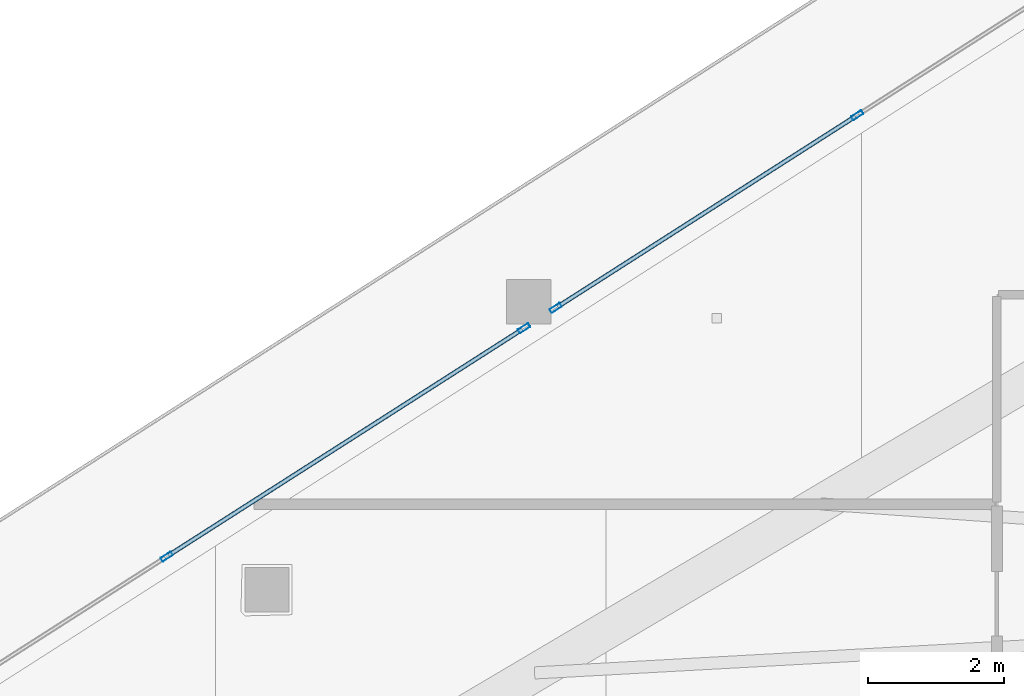
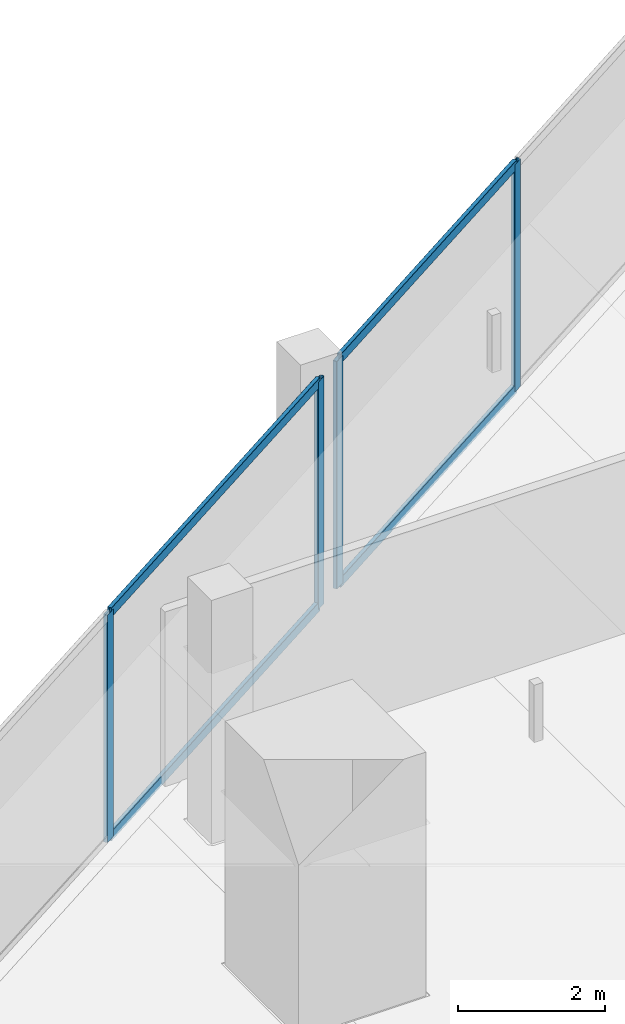
# One storey, part 15 of 37: 8 members, 2 elements without a shape of their own.
"""IFC4 building model written with IfcOpenShell, lengths in metres."""

from ifc_helpers import new_model, si_unit, direction, frame, origin, origin_2d, place, context, subcontext, project, spatial, hollow_rectangle, extrude, material, layer, layer_set, material_profile, profile_set, type_object, element, aggregate, save


model = new_model("IFC4")

# Units and contexts
model_context = context("Model", 3, precision=1e-05, world=origin(), true_north=direction((0.0, 1.0)))
body_context = subcontext(model_context, "Body", "Model", "MODEL_VIEW")
ifc_project = project(units=[si_unit("LENGTHUNIT", "METRE"), si_unit("AREAUNIT", "SQUARE_METRE"), si_unit("VOLUMEUNIT", "CUBIC_METRE"), si_unit("PLANEANGLEUNIT", "RADIAN"), si_unit("MASSUNIT", "GRAM", prefix="KILO")], contexts=[model_context])

# Site, building, storey
site_placement = place(None, origin())
site = spatial("IfcSite", under=ifc_project, at=site_placement, CompositionType="ELEMENT")
building_placement = place(site_placement, origin())
building = spatial("IfcBuilding", under=site, at=building_placement, Name="Qorvath Tower", CompositionType="ELEMENT")
storey_placement = place(building_placement, frame((0.0, 0.0, 188.85009765625)))
storey = spatial("IfcBuildingStorey", under=building, at=storey_placement, Name="L43", CompositionType="ELEMENT", Elevation=188.85009765625)

# Curtain wall, members
ifc_material_1 = material(Name="Anodised aluminium and triple low-E glass", Category="aluminium")
ifc_layer = layer(ifc_material_1, 0.179931640625)
ifc_layer_set = layer_set([ifc_layer], Name="CW-SYS-3")
curtain_wall_type = type_object("IfcCurtainWallType", Name="CW-SYS-3", PredefinedType="NOTDEFINED", material=ifc_layer_set)
curtain_wall_1_placement = place(storey_placement, origin())
curtain_wall_1 = element("IfcCurtainWall", 1, at=curtain_wall_1_placement, inside=storey, type_object=curtain_wall_type, Name="Curtain Wall CW-3 CW-T-L43-16.2", PredefinedType="NOTDEFINED")
ifc_material_2 = material(Name="Anodised aluminium 6063-T6", Category="aluminium")
ifc_material_profile_1 = material_profile(ifc_material_2, hollow_rectangle(XDim=0.06494140625, YDim=0.179931640625, WallThickness=0.00341796875, InnerFilletRadius=0.00341796875, OuterFilletRadius=0.007080078125, at=origin_2d()), Name="CWM 180x65")
ifc_profile_set_1 = profile_set([ifc_material_profile_1], Name="Anodised aluminium 6063-T6")
member_type_1 = type_object("IfcMemberType", Name="CWM-180", PredefinedType="MULLION", material=ifc_profile_set_1)
member_1_placement = place(storey_placement, frame((-39.90966796875, 13.393798828125, 0.0), z_axis=(0.0, 0.0, 1.0), x_axis=(0.538532984504, -0.842604429493, 0.0)))
member_1 = element("IfcMember", 2, at=member_1_placement, type_object=member_type_1, Name="CW-3 mullion 3", PredefinedType="MULLION", context=body_context, shape_type="SweptSolid", body=[
    extrude(hollow_rectangle(XDim=0.06494140625, YDim=0.179931640625, WallThickness=0.00341796875, InnerFilletRadius=0.00341796875, OuterFilletRadius=0.007080078125, at=origin_2d()), origin(), (0.0, 0.0, 1.0), 3.77978515625),
])
member_2_placement = place(storey_placement, frame((-44.3388671875, 10.56298828125, 0.0), z_axis=(0.0, 0.0, 1.0), x_axis=(0.538532984504, -0.842604429493, 0.0)))
member_2 = element("IfcMember", 3, at=member_2_placement, type_object=member_type_1, Name="CW-3 mullion 4", PredefinedType="MULLION", context=body_context, shape_type="SweptSolid", body=[
    extrude(hollow_rectangle(XDim=0.06494140625, YDim=0.179931640625, WallThickness=0.00341796875, InnerFilletRadius=0.00341796875, OuterFilletRadius=0.007080078125, at=origin_2d()), origin(), (0.0, 0.0, 1.0), 3.77978515625),
])

curtain_wall_2_placement = place(storey_placement, origin())
curtain_wall_2 = element("IfcCurtainWall", 4, at=curtain_wall_2_placement, inside=storey, type_object=curtain_wall_type, Name="Curtain Wall CW-3 CW-T-L43-16.3", PredefinedType="NOTDEFINED")
member_3_placement = place(storey_placement, frame((-44.805419921875, 10.2646484375, 0.0), z_axis=(0.0, 0.0, 1.0), x_axis=(0.538528229621, -0.842607468458, 0.0)))
member_3 = element("IfcMember", 5, at=member_3_placement, type_object=member_type_1, Name="CW-3 mullion 1", PredefinedType="MULLION", context=body_context, shape_type="SweptSolid", body=[
    extrude(hollow_rectangle(XDim=0.06494140625, YDim=0.179931640625, WallThickness=0.00341796875, InnerFilletRadius=0.00341796875, OuterFilletRadius=0.007080078125, at=origin_2d()), origin(), (0.0, 0.0, 1.0), 3.77978515625),
])
member_4_placement = place(storey_placement, frame((-50.052978515625, 6.910888671875, 0.0), z_axis=(0.0, 0.0, 1.0), x_axis=(0.538528229621, -0.842607468458, 0.0)))
member_4 = element("IfcMember", 6, at=member_4_placement, type_object=member_type_1, Name="CW-3 mullion 2", PredefinedType="MULLION", context=body_context, shape_type="SweptSolid", body=[
    extrude(hollow_rectangle(XDim=0.06494140625, YDim=0.179931640625, WallThickness=0.00341796875, InnerFilletRadius=0.00341796875, OuterFilletRadius=0.007080078125, at=origin_2d()), origin(), (0.0, 0.0, 1.0), 3.77978515625),
])

# Member
ifc_material_3 = material(Name="Anodised aluminium 6063-T6", Category="aluminium")
ifc_material_profile_2 = material_profile(ifc_material_3, hollow_rectangle(XDim=0.06494140625, YDim=0.159912109375, WallThickness=0.00341796875, InnerFilletRadius=0.00341796875, OuterFilletRadius=0.007080078125, at=origin_2d()), Name="CWT 160x65")
ifc_profile_set_2 = profile_set([ifc_material_profile_2], Name="Anodised aluminium 6063-T6")
member_type_2 = type_object("IfcMemberType", Name="CWT-160", PredefinedType="USERDEFINED", material=ifc_profile_set_2)
member_5_placement = place(storey_placement, frame((-39.93701171875, 13.376220703125, 0.032470703125), z_axis=(-0.842602608378, -0.538535833863, 0.0), x_axis=(0.538535833863, -0.842602608378, 0.0)))
member_5 = element("IfcMember", 7, at=member_5_placement, type_object=member_type_2, Name="CW-3 transom 3.1", ObjectType="TRANSOM", PredefinedType="USERDEFINED", context=body_context, shape_type="SweptSolid", body=[
    extrude(hollow_rectangle(XDim=0.06494140625, YDim=0.159912109375, WallThickness=0.00341796875, InnerFilletRadius=0.00341796875, OuterFilletRadius=0.007080078125, at=origin_2d()), origin(), (0.0, 0.0, 1.0), 5.191650390625),
])

member_6_placement = place(storey_placement, frame((-39.93701171875, 13.376220703125, 3.747314453125), z_axis=(-0.842602608378, -0.538535833863, 0.0), x_axis=(0.538535833863, -0.842602608378, 0.0)))
member_6 = element("IfcMember", 8, at=member_6_placement, type_object=member_type_2, Name="CW-3 transom 3.2", ObjectType="TRANSOM", PredefinedType="USERDEFINED", context=body_context, shape_type="SweptSolid", body=[
    extrude(hollow_rectangle(XDim=0.06494140625, YDim=0.159912109375, WallThickness=0.00341796875, InnerFilletRadius=0.00341796875, OuterFilletRadius=0.007080078125, at=origin_2d()), origin(), (0.0, 0.0, 1.0), 5.191650390625),
])

aggregate(curtain_wall_1, [member_1, member_2, member_5, member_6])

member_7_placement = place(storey_placement, frame((-44.832763671875, 10.247314453125, 0.032470703125), z_axis=(-0.842609378204, -0.538525241528, 0.0), x_axis=(0.538525241528, -0.842609378204, 0.0)))
member_7 = element("IfcMember", 9, at=member_7_placement, type_object=member_type_2, Name="CW-3 transom 1.1", ObjectType="TRANSOM", PredefinedType="USERDEFINED", context=body_context, shape_type="SweptSolid", body=[
    extrude(hollow_rectangle(XDim=0.06494140625, YDim=0.159912109375, WallThickness=0.00341796875, InnerFilletRadius=0.00341796875, OuterFilletRadius=0.007080078125, at=origin_2d()), origin(), (0.0, 0.0, 1.0), 6.162841796875),
])

member_8_placement = place(storey_placement, frame((-44.832763671875, 10.247314453125, 3.747314453125), z_axis=(-0.842609378204, -0.538525241528, 0.0), x_axis=(0.538525241528, -0.842609378204, 0.0)))
member_8 = element("IfcMember", 10, at=member_8_placement, type_object=member_type_2, Name="CW-3 transom 1.2", ObjectType="TRANSOM", PredefinedType="USERDEFINED", context=body_context, shape_type="SweptSolid", body=[
    extrude(hollow_rectangle(XDim=0.06494140625, YDim=0.159912109375, WallThickness=0.00341796875, InnerFilletRadius=0.00341796875, OuterFilletRadius=0.007080078125, at=origin_2d()), origin(), (0.0, 0.0, 1.0), 6.162841796875),
])

aggregate(curtain_wall_2, [member_3, member_4, member_7, member_8])

save(model, "model.ifc")
